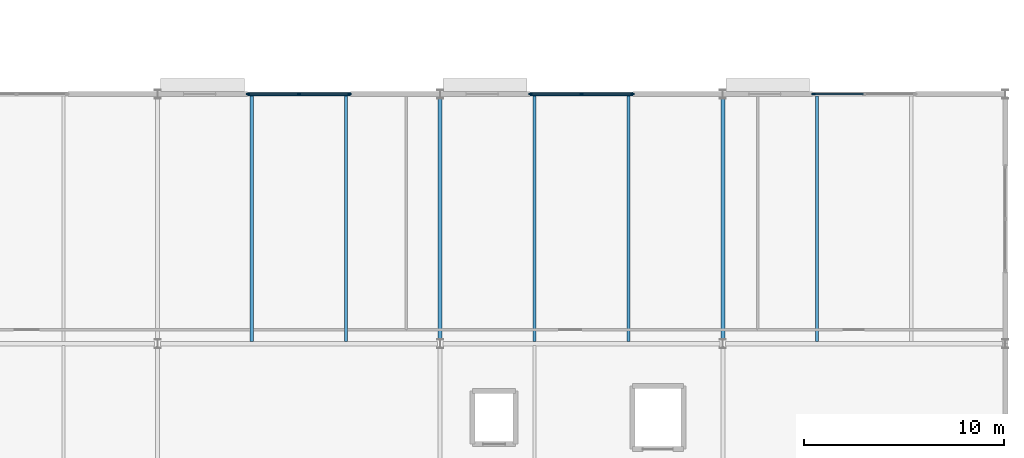
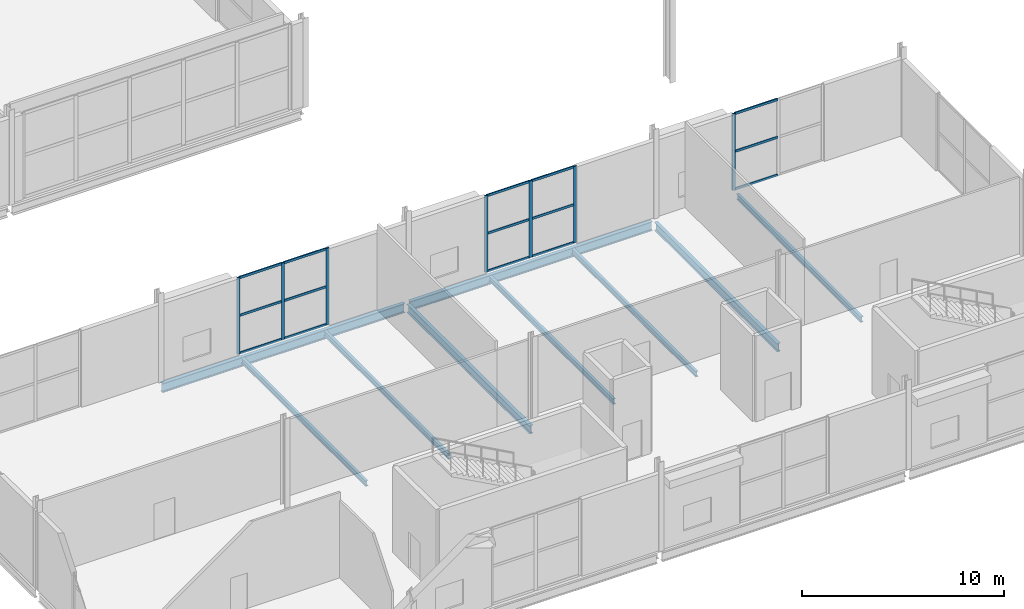
# One storey, part 41 of 84: 22 members, 9 beams, 3 elements without a shape of their own.
"""IFC4 building model written with IfcOpenShell, lengths in metres."""

import ifcopenshell
import ifcopenshell.guid

model = None  # the IFC model being written
_history = None  # IfcOwnerHistory: only IFC2X3 demands one
_inside = {}  # id of a spatial element -> (the spatial element, [elements in it])
_under = {}  # id of a project, library or spatial element -> (it, [spatial elements below it])
_declared = {}  # id of a project -> (the project, [libraries it declares])
_typed = {}  # id of a type object -> (the type object, [elements of that type])
_made_of = {}  # id of a material, layer set ... -> (it, [elements and type objects made of it])


def new_model(schema):
    """Start an empty IFC model of exactly this schema.

    Asked for "IFC4X3", IfcOpenShell would pick the latest addendum, in which some entities
    have other attributes; the version numbers below select the first issue.
    IFC2X3 requires an IfcOwnerHistory on every rooted entity: one is made here for all.
    """
    global model, _history
    if schema == "IFC4X3":
        model = ifcopenshell.file(schema_version=(4, 3, 0, 0))
    else:
        model = ifcopenshell.file(schema=schema)
    _inside.clear()
    _under.clear()
    _declared.clear()
    _typed.clear()
    _made_of.clear()
    _history = None
    if model.schema == "IFC2X3":
        org = make("IfcOrganization", Name="unknown")
        user = make(
            "IfcPersonAndOrganization",
            ThePerson=make("IfcPerson", FamilyName="unknown"),
            TheOrganization=org,
        )
        app = make(
            "IfcApplication",
            ApplicationDeveloper=org,
            Version="unknown",
            ApplicationFullName="unknown",
            ApplicationIdentifier="unknown",
        )
        _history = make(
            "IfcOwnerHistory",
            OwningUser=user,
            OwningApplication=app,
            ChangeAction="ADDED",
            CreationDate=0,
        )
    return model


def make(cls, **values):
    """One entity of the class cls with the attributes given. An attribute that is None is left unset."""
    return model.create_entity(
        cls, **{name: value for name, value in values.items() if value is not None}
    )


def rooted(cls, **values):
    """An entity with a GlobalId (a new one), such as an element, a storey or a relation."""
    return make(cls, GlobalId=ifcopenshell.guid.new(), OwnerHistory=_history, **values)


def si_unit(unit_type, name, prefix=None):
    """IfcSIUnit, for example si_unit("LENGTHUNIT", "METRE", prefix="MILLI")."""
    return make("IfcSIUnit", UnitType=unit_type, Prefix=prefix, Name=name)


def assignment(units):
    """IfcUnitAssignment: the units of a project."""
    return None if units is None else make("IfcUnitAssignment", Units=units)


def point(xyz):
    """IfcCartesianPoint."""
    return None if xyz is None else make("IfcCartesianPoint", Coordinates=xyz)


def direction(xyz):
    """IfcDirection."""
    return None if xyz is None else make("IfcDirection", DirectionRatios=xyz)


def frame(location, z_axis=None, x_axis=None):
    """IfcAxis2Placement3D, a coordinate frame: its origin and axes. An axis left out is left unset."""
    return make(
        "IfcAxis2Placement3D",
        Location=point(location),
        Axis=direction(z_axis),
        RefDirection=direction(x_axis),
    )


def frame_2d(location, x_axis=None):
    """IfcAxis2Placement2D, a coordinate frame in the plane: its origin and x axis."""
    return make(
        "IfcAxis2Placement2D", Location=point(location), RefDirection=direction(x_axis)
    )


def origin():
    """The frame at (0, 0, 0) with its axes left unset."""
    return frame((0.0, 0.0, 0.0))


def origin_2d():
    """The frame at (0, 0) in the plane with its x axis left unset."""
    return frame_2d((0.0, 0.0))


def place(relative_to, where):
    """IfcLocalPlacement: puts the frame where relative to a parent placement (None: the world)."""
    return make(
        "IfcLocalPlacement", PlacementRelTo=relative_to, RelativePlacement=where
    )


def context(
    kind, dimensions, precision=None, world=None, true_north=None, identifier=None
):
    """IfcGeometricRepresentationContext, for example the 3D "Model" context."""
    return make(
        "IfcGeometricRepresentationContext",
        ContextIdentifier=identifier,
        ContextType=kind,
        CoordinateSpaceDimension=dimensions,
        Precision=precision,
        WorldCoordinateSystem=world,
        TrueNorth=true_north,
    )


def subcontext(parent, identifier, kind, view, scale=None):
    """IfcGeometricRepresentationSubContext, for example "Body" below "Model"."""
    return make(
        "IfcGeometricRepresentationSubContext",
        ContextIdentifier=identifier,
        ContextType=kind,
        ParentContext=parent,
        TargetScale=scale,
        TargetView=view,
    )


def project(units=None, contexts=None):
    """IfcProject with its units and contexts."""
    return rooted(
        "IfcProject",
        Name="project",
        RepresentationContexts=contexts,
        UnitsInContext=assignment(units),
    )


def spatial(cls, under=None, at=None, **own):
    """A site, building, storey or space (cls), placed at a placement, below another one or the project."""
    s = rooted(cls, ObjectPlacement=at, **own)
    if under is not None:
        _under.setdefault(under.id(), (under, []))[1].append(s)
    return s


def profile(cls, at=None, kind="AREA", **sizes):
    """A parametric profile (cls). Its sizes go by their IFC names, for example OverallWidth=200.0."""
    return make(cls, ProfileType=kind, Position=at, **sizes)


def rectangle(**sizes):
    """IfcRectangleProfileDef."""
    return profile("IfcRectangleProfileDef", **sizes)


def i_section(**sizes):
    """IfcIShapeProfileDef."""
    return profile("IfcIShapeProfileDef", **sizes)


def extrude(swept, where, along, depth):
    """IfcExtrudedAreaSolid: the profile swept, set in the frame where, extruded along a direction by depth."""
    return make(
        "IfcExtrudedAreaSolid",
        SweptArea=swept,
        Position=where,
        ExtrudedDirection=direction(along),
        Depth=depth,
    )


def shape(context_of_items, identifier, shape_type, items):
    """IfcShapeRepresentation: the items that make up one representation, for example the "Body"."""
    return make(
        "IfcShapeRepresentation",
        ContextOfItems=context_of_items,
        RepresentationIdentifier=identifier,
        RepresentationType=shape_type,
        Items=items,
    )


def material(Name=None, Category=None):
    """IfcMaterial."""
    return make("IfcMaterial", Name=Name, Category=Category)


def material_profile(
    of_material, cross_section, Name=None, Category=None, Priority=None
):
    """IfcMaterialProfile: a cross section and its material."""
    return make(
        "IfcMaterialProfile",
        Name=Name,
        Material=of_material,
        Profile=cross_section,
        Priority=Priority,
        Category=Category,
    )


def profile_set(profiles, Name=None, composite=None):
    """IfcMaterialProfileSet."""
    return make(
        "IfcMaterialProfileSet",
        Name=Name,
        MaterialProfiles=profiles,
        CompositeProfile=composite,
    )


def made_of(thing, what):
    """Note that an element or type object is made of a material, layer set ...; save() writes the relation."""
    if what is not None:
        _made_of.setdefault(what.id(), (what, []))[1].append(thing)
    return thing


def type_object(cls, material=None, **own):
    """A type object (cls), such as IfcWallType, which elements share."""
    return made_of(rooted(cls, **own), material)


def element(
    cls,
    number,
    at=None,
    inside=None,
    cuts=None,
    type_object=None,
    material=None,
    context=None,
    identifier="Body",
    shape_type=None,
    held_by="IfcProductDefinitionShape",
    body=None,
    shapes=None,
    **own,
):
    """One element of the class cls, such as IfcWall. Its Tag is "e" and its number.

    at: its placement. inside: the storey or other place that contains it. cuts: it is an
    opening in that element (IfcRelVoidsElement). A single representation is given by context,
    identifier, shape_type and body (its items); several are given by shapes. held_by: the class
    of the entity that holds the representations. save() writes the other relations.
    """
    e = rooted(cls, Tag="e%d" % number, ObjectPlacement=at, **own)
    if body is not None:
        shapes = [shape(context, identifier, shape_type, body)]
    if shapes is not None:
        e.Representation = make(held_by, Representations=shapes)
    if inside is not None:
        _inside.setdefault(inside.id(), (inside, []))[1].append(e)
    if cuts is not None:
        rooted(
            "IfcRelVoidsElement", RelatingBuildingElement=cuts, RelatedOpeningElement=e
        )
    if type_object is not None:
        _typed.setdefault(type_object.id(), (type_object, []))[1].append(e)
    return made_of(e, material)


def aggregate(whole, parts):
    """IfcRelAggregates: a whole, such as a stair, and the parts it consists of."""
    return rooted("IfcRelAggregates", RelatingObject=whole, RelatedObjects=parts)


def save(model, path):
    """Write the relations noted so far, then the file.

    IfcRelAggregates (storeys below a building ...), IfcRelContainedInSpatialStructure (elements
    in a storey), IfcRelDefinesByType, IfcRelAssociatesMaterial and IfcRelDeclares: one each for
    every whole, place, type object, material and project.
    """
    for whole, parts in _under.values():
        aggregate(whole, parts)
    for where, things in _inside.values():
        rooted(
            "IfcRelContainedInSpatialStructure",
            RelatedElements=things,
            RelatingStructure=where,
        )
    for kind, things in _typed.values():
        rooted("IfcRelDefinesByType", RelatedObjects=things, RelatingType=kind)
    for what, things in _made_of.values():
        rooted("IfcRelAssociatesMaterial", RelatedObjects=things, RelatingMaterial=what)
    for by, libraries in _declared.values():
        rooted("IfcRelDeclares", RelatingContext=by, RelatedDefinitions=libraries)
    model.write(path)


model = new_model("IFC4")

# Units and contexts
model_context = context("Model", 3, precision=1e-05, world=origin(), true_north=direction((0.0, 1.0)))
body_context = subcontext(model_context, "Body", "Model", "MODEL_VIEW")
ifc_project = project(units=[si_unit("LENGTHUNIT", "METRE"), si_unit("AREAUNIT", "SQUARE_METRE"), si_unit("VOLUMEUNIT", "CUBIC_METRE"), si_unit("PLANEANGLEUNIT", "RADIAN"), si_unit("MASSUNIT", "GRAM", prefix="KILO")], contexts=[model_context])

# Site, building, storey
site_placement = place(None, origin())
site = spatial("IfcSite", under=ifc_project, at=site_placement, CompositionType="ELEMENT")
building_placement = place(site_placement, origin())
building = spatial("IfcBuilding", under=site, at=building_placement, Name="Kimbaza Rail Terminus", CompositionType="ELEMENT")
storey_placement = place(building_placement, frame((0.0, 0.0, 5.39990234375)))
storey = spatial("IfcBuildingStorey", under=building, at=storey_placement, Name="L01", CompositionType="ELEMENT", Elevation=5.39990234375)

# Curtain wall, members
ifc_material_1 = material(Name="Anodised aluminium framing and solar low-E glazing", Category="aluminium")
curtain_wall_type = type_object("IfcCurtainWallType", Name="ARC-CW-PV1", PredefinedType="USERDEFINED", material=ifc_material_1)
curtain_wall_1_placement = place(storey_placement, origin())
curtain_wall_1 = element("IfcCurtainWall", 1, at=curtain_wall_1_placement, inside=storey, type_object=curtain_wall_type, Name="Pavilion N Curtain Wall L01.2", ObjectType="STICK CURTAIN WALL", PredefinedType="USERDEFINED")
ifc_material_2 = material(Name="Anodised architectural aluminium", Category="aluminium")
ifc_material_profile_1 = material_profile(ifc_material_2, rectangle(XDim=0.06494140625, YDim=0.175048828125, at=origin_2d()), Name="MULLION 65x175")
ifc_profile_set_1 = profile_set([ifc_material_profile_1], Name="Anodised architectural aluminium")
member_type_1 = type_object("IfcMemberType", Name="ARC-CWM-04", PredefinedType="MULLION", material=ifc_profile_set_1)
member_1_placement = place(storey_placement, frame((176.08251953125, 38.0, 0.0), z_axis=(0.0, 0.0, 1.0), x_axis=(0.0, 1.0, 0.0)))
member_1 = element("IfcMember", 2, at=member_1_placement, type_object=member_type_1, Name="CW-04 mullion 1", PredefinedType="MULLION", context=body_context, shape_type="SweptSolid", body=[
    extrude(rectangle(XDim=0.06494140625, YDim=0.175048828125, at=origin_2d()), origin(), (0.0, 0.0, 1.0), 4.625),
])
member_2_placement = place(storey_placement, frame((178.625, 38.0, 0.0), z_axis=(0.0, 0.0, 1.0), x_axis=(0.0, 1.0, 0.0)))
member_2 = element("IfcMember", 3, at=member_2_placement, type_object=member_type_1, Name="CW-04 mullion 2", PredefinedType="MULLION", context=body_context, shape_type="SweptSolid", body=[
    extrude(rectangle(XDim=0.06494140625, YDim=0.175048828125, at=origin_2d()), origin(), (0.0, 0.0, 1.0), 4.625),
])
member_3_placement = place(storey_placement, frame((181.16748046875, 38.0, 0.0), z_axis=(0.0, 0.0, 1.0), x_axis=(0.0, 1.0, 0.0)))
member_3 = element("IfcMember", 4, at=member_3_placement, type_object=member_type_1, Name="CW-04 mullion 3", PredefinedType="MULLION", context=body_context, shape_type="SweptSolid", body=[
    extrude(rectangle(XDim=0.06494140625, YDim=0.175048828125, at=origin_2d()), origin(), (0.0, 0.0, 1.0), 4.625),
])

curtain_wall_2_placement = place(storey_placement, origin())
curtain_wall_2 = element("IfcCurtainWall", 5, at=curtain_wall_2_placement, inside=storey, type_object=curtain_wall_type, Name="Pavilion N Curtain Wall L01.3", ObjectType="STICK CURTAIN WALL", PredefinedType="USERDEFINED")
member_4_placement = place(storey_placement, frame((190.232421875, 38.0, 0.0), z_axis=(0.0, 0.0, 1.0), x_axis=(0.0, 1.0, 0.0)))
member_4 = element("IfcMember", 6, at=member_4_placement, type_object=member_type_1, Name="CW-04 mullion 1", PredefinedType="MULLION", context=body_context, shape_type="SweptSolid", body=[
    extrude(rectangle(XDim=0.06494140625, YDim=0.175048828125, at=origin_2d()), origin(), (0.0, 0.0, 1.0), 4.625),
])
member_5_placement = place(storey_placement, frame((192.77490234375, 38.0, 0.0), z_axis=(0.0, 0.0, 1.0), x_axis=(0.0, 1.0, 0.0)))
member_5 = element("IfcMember", 7, at=member_5_placement, type_object=member_type_1, Name="CW-04 mullion 2", PredefinedType="MULLION", context=body_context, shape_type="SweptSolid", body=[
    extrude(rectangle(XDim=0.06494140625, YDim=0.175048828125, at=origin_2d()), origin(), (0.0, 0.0, 1.0), 4.625),
])
member_6_placement = place(storey_placement, frame((195.3173828125, 38.0, 0.0), z_axis=(0.0, 0.0, 1.0), x_axis=(0.0, 1.0, 0.0)))
member_6 = element("IfcMember", 8, at=member_6_placement, type_object=member_type_1, Name="CW-04 mullion 3", PredefinedType="MULLION", context=body_context, shape_type="SweptSolid", body=[
    extrude(rectangle(XDim=0.06494140625, YDim=0.175048828125, at=origin_2d()), origin(), (0.0, 0.0, 1.0), 4.625),
])

# Curtain wall, member
curtain_wall_3_placement = place(storey_placement, origin())
curtain_wall_3 = element("IfcCurtainWall", 9, at=curtain_wall_3_placement, inside=storey, type_object=curtain_wall_type, Name="Pavilion N Curtain Wall L01.4", ObjectType="STICK CURTAIN WALL", PredefinedType="USERDEFINED")
member_7_placement = place(storey_placement, frame((204.382568359375, 38.0, 0.0), z_axis=(0.0, 0.0, 1.0), x_axis=(0.0, 1.0, 0.0)))
member_7 = element("IfcMember", 10, at=member_7_placement, type_object=member_type_1, Name="CW-04 mullion 1", PredefinedType="MULLION", context=body_context, shape_type="SweptSolid", body=[
    extrude(rectangle(XDim=0.06494140625, YDim=0.175048828125, at=origin_2d()), origin(), (0.0, 0.0, 1.0), 4.625),
])

# Member
ifc_material_3 = material(Name="Anodised architectural aluminium", Category="aluminium")
ifc_material_profile_2 = material_profile(ifc_material_3, rectangle(XDim=0.06494140625, YDim=0.139892578125, at=origin_2d()), Name="TRANSOM 65x140")
ifc_profile_set_2 = profile_set([ifc_material_profile_2], Name="Anodised architectural aluminium")
member_type_2 = type_object("IfcMemberType", Name="ARC-CWT-04", PredefinedType="USERDEFINED", material=ifc_profile_set_2)
member_8_placement = place(storey_placement, frame((176.114990234375, 38.0, 0.03271484375), z_axis=(1.0, 0.0, 0.0), x_axis=(0.0, 1.0, 0.0)))
member_8 = element("IfcMember", 11, at=member_8_placement, type_object=member_type_2, Name="CW-04 transom 1.1", ObjectType="TRANSOM", PredefinedType="USERDEFINED", context=body_context, shape_type="SweptSolid", body=[
    extrude(rectangle(XDim=0.06494140625, YDim=0.139892578125, at=origin_2d()), origin(), (0.0, 0.0, 1.0), 2.4775390625),
])

member_9_placement = place(storey_placement, frame((176.114990234375, 38.0, 2.3125), z_axis=(1.0, 0.0, 0.0), x_axis=(0.0, 1.0, 0.0)))
member_9 = element("IfcMember", 12, at=member_9_placement, type_object=member_type_2, Name="CW-04 transom 1.2", ObjectType="TRANSOM", PredefinedType="USERDEFINED", context=body_context, shape_type="SweptSolid", body=[
    extrude(rectangle(XDim=0.06494140625, YDim=0.139892578125, at=origin_2d()), origin(), (0.0, 0.0, 1.0), 2.4775390625),
])

member_10_placement = place(storey_placement, frame((176.114990234375, 38.0, 4.592529296875), z_axis=(1.0, 0.0, 0.0), x_axis=(0.0, 1.0, 0.0)))
member_10 = element("IfcMember", 13, at=member_10_placement, type_object=member_type_2, Name="CW-04 transom 1.3", ObjectType="TRANSOM", PredefinedType="USERDEFINED", context=body_context, shape_type="SweptSolid", body=[
    extrude(rectangle(XDim=0.06494140625, YDim=0.139892578125, at=origin_2d()), origin(), (0.0, 0.0, 1.0), 2.4775390625),
])

member_11_placement = place(storey_placement, frame((178.657470703125, 38.0, 0.03271484375), z_axis=(1.0, 0.0, 0.0), x_axis=(0.0, 1.0, 0.0)))
member_11 = element("IfcMember", 14, at=member_11_placement, type_object=member_type_2, Name="CW-04 transom 2.1", ObjectType="TRANSOM", PredefinedType="USERDEFINED", context=body_context, shape_type="SweptSolid", body=[
    extrude(rectangle(XDim=0.06494140625, YDim=0.139892578125, at=origin_2d()), origin(), (0.0, 0.0, 1.0), 2.4775390625),
])

member_12_placement = place(storey_placement, frame((178.657470703125, 38.0, 2.3125), z_axis=(1.0, 0.0, 0.0), x_axis=(0.0, 1.0, 0.0)))
member_12 = element("IfcMember", 15, at=member_12_placement, type_object=member_type_2, Name="CW-04 transom 2.2", ObjectType="TRANSOM", PredefinedType="USERDEFINED", context=body_context, shape_type="SweptSolid", body=[
    extrude(rectangle(XDim=0.06494140625, YDim=0.139892578125, at=origin_2d()), origin(), (0.0, 0.0, 1.0), 2.4775390625),
])

member_13_placement = place(storey_placement, frame((178.657470703125, 38.0, 4.592529296875), z_axis=(1.0, 0.0, 0.0), x_axis=(0.0, 1.0, 0.0)))
member_13 = element("IfcMember", 16, at=member_13_placement, type_object=member_type_2, Name="CW-04 transom 2.3", ObjectType="TRANSOM", PredefinedType="USERDEFINED", context=body_context, shape_type="SweptSolid", body=[
    extrude(rectangle(XDim=0.06494140625, YDim=0.139892578125, at=origin_2d()), origin(), (0.0, 0.0, 1.0), 2.4775390625),
])

aggregate(curtain_wall_1, [member_1, member_2, member_3, member_8, member_9, member_10, member_11, member_12, member_13])

member_14_placement = place(storey_placement, frame((190.264892578125, 38.0, 0.03271484375), z_axis=(1.0, 0.0, 0.0), x_axis=(0.0, 1.0, 0.0)))
member_14 = element("IfcMember", 17, at=member_14_placement, type_object=member_type_2, Name="CW-04 transom 1.1", ObjectType="TRANSOM", PredefinedType="USERDEFINED", context=body_context, shape_type="SweptSolid", body=[
    extrude(rectangle(XDim=0.06494140625, YDim=0.139892578125, at=origin_2d()), origin(), (0.0, 0.0, 1.0), 2.4775390625),
])

member_15_placement = place(storey_placement, frame((190.264892578125, 38.0, 2.3125), z_axis=(1.0, 0.0, 0.0), x_axis=(0.0, 1.0, 0.0)))
member_15 = element("IfcMember", 18, at=member_15_placement, type_object=member_type_2, Name="CW-04 transom 1.2", ObjectType="TRANSOM", PredefinedType="USERDEFINED", context=body_context, shape_type="SweptSolid", body=[
    extrude(rectangle(XDim=0.06494140625, YDim=0.139892578125, at=origin_2d()), origin(), (0.0, 0.0, 1.0), 2.4775390625),
])

member_16_placement = place(storey_placement, frame((190.264892578125, 38.0, 4.592529296875), z_axis=(1.0, 0.0, 0.0), x_axis=(0.0, 1.0, 0.0)))
member_16 = element("IfcMember", 19, at=member_16_placement, type_object=member_type_2, Name="CW-04 transom 1.3", ObjectType="TRANSOM", PredefinedType="USERDEFINED", context=body_context, shape_type="SweptSolid", body=[
    extrude(rectangle(XDim=0.06494140625, YDim=0.139892578125, at=origin_2d()), origin(), (0.0, 0.0, 1.0), 2.4775390625),
])

member_17_placement = place(storey_placement, frame((192.8076171875, 38.0, 0.03271484375), z_axis=(1.0, 0.0, 0.0), x_axis=(0.0, 1.0, 0.0)))
member_17 = element("IfcMember", 20, at=member_17_placement, type_object=member_type_2, Name="CW-04 transom 2.1", ObjectType="TRANSOM", PredefinedType="USERDEFINED", context=body_context, shape_type="SweptSolid", body=[
    extrude(rectangle(XDim=0.06494140625, YDim=0.139892578125, at=origin_2d()), origin(), (0.0, 0.0, 1.0), 2.477294921875),
])

member_18_placement = place(storey_placement, frame((192.8076171875, 38.0, 2.3125), z_axis=(1.0, 0.0, 0.0), x_axis=(0.0, 1.0, 0.0)))
member_18 = element("IfcMember", 21, at=member_18_placement, type_object=member_type_2, Name="CW-04 transom 2.2", ObjectType="TRANSOM", PredefinedType="USERDEFINED", context=body_context, shape_type="SweptSolid", body=[
    extrude(rectangle(XDim=0.06494140625, YDim=0.139892578125, at=origin_2d()), origin(), (0.0, 0.0, 1.0), 2.477294921875),
])

member_19_placement = place(storey_placement, frame((192.8076171875, 38.0, 4.592529296875), z_axis=(1.0, 0.0, 0.0), x_axis=(0.0, 1.0, 0.0)))
member_19 = element("IfcMember", 22, at=member_19_placement, type_object=member_type_2, Name="CW-04 transom 2.3", ObjectType="TRANSOM", PredefinedType="USERDEFINED", context=body_context, shape_type="SweptSolid", body=[
    extrude(rectangle(XDim=0.06494140625, YDim=0.139892578125, at=origin_2d()), origin(), (0.0, 0.0, 1.0), 2.477294921875),
])

aggregate(curtain_wall_2, [member_4, member_5, member_6, member_14, member_15, member_16, member_17, member_18, member_19])

member_20_placement = place(storey_placement, frame((204.4150390625, 38.0, 0.03271484375), z_axis=(1.0, 0.0, 0.0), x_axis=(0.0, 1.0, 0.0)))
member_20 = element("IfcMember", 23, at=member_20_placement, type_object=member_type_2, Name="CW-04 transom 1.1", ObjectType="TRANSOM", PredefinedType="USERDEFINED", context=body_context, shape_type="SweptSolid", body=[
    extrude(rectangle(XDim=0.06494140625, YDim=0.139892578125, at=origin_2d()), origin(), (0.0, 0.0, 1.0), 2.4775390625),
])

member_21_placement = place(storey_placement, frame((204.4150390625, 38.0, 2.3125), z_axis=(1.0, 0.0, 0.0), x_axis=(0.0, 1.0, 0.0)))
member_21 = element("IfcMember", 24, at=member_21_placement, type_object=member_type_2, Name="CW-04 transom 1.2", ObjectType="TRANSOM", PredefinedType="USERDEFINED", context=body_context, shape_type="SweptSolid", body=[
    extrude(rectangle(XDim=0.06494140625, YDim=0.139892578125, at=origin_2d()), origin(), (0.0, 0.0, 1.0), 2.4775390625),
])

member_22_placement = place(storey_placement, frame((204.4150390625, 38.0, 4.592529296875), z_axis=(1.0, 0.0, 0.0), x_axis=(0.0, 1.0, 0.0)))
member_22 = element("IfcMember", 25, at=member_22_placement, type_object=member_type_2, Name="CW-04 transom 1.3", ObjectType="TRANSOM", PredefinedType="USERDEFINED", context=body_context, shape_type="SweptSolid", body=[
    extrude(rectangle(XDim=0.06494140625, YDim=0.139892578125, at=origin_2d()), origin(), (0.0, 0.0, 1.0), 2.4775390625),
])

aggregate(curtain_wall_3, [member_7, member_20, member_21, member_22])

# Beams
ifc_material_4 = material(Name="Steel S355", Category="steel")
ifc_material_profile_3 = material_profile(ifc_material_4, i_section(OverallWidth=0.159912109375, OverallDepth=0.330078125, WebThickness=0.007568359375, FlangeThickness=0.011474609375, FilletRadius=0.01806640625, at=origin_2d()), Name="IPE 330")
ifc_profile_set_3 = profile_set([ifc_material_profile_3], Name="Steel S355")
beam_type_1 = type_object("IfcBeamType", Name="STR-BM-IPE330", PredefinedType="JOIST", material=ifc_profile_set_3)
for number, where, z_axis, x_axis, name in (
    (26, (176.2666015625, 25.60009765625, -0.385009765625), (0.0, 1.0, 0.0), (-1.0, 0.0, 0.0), "Beam JST-V4-L01-1-1-1"),
    (27, (180.9833984375, 25.60009765625, -0.385009765625), (0.0, 1.0, 0.0), (-1.0, 0.0, 0.0), "Beam JST-V4-L01-1-2-1"),
    (28, (190.416748046875, 25.60009765625, -0.385009765625), (0.0, 1.0, 0.0), (-1.0, 0.0, 0.0), "Beam JST-V4-L01-2-1-1"),
    (29, (195.13330078125, 25.60009765625, -0.385009765625), (0.0, 1.0, 0.0), (-1.0, 0.0, 0.0), "Beam JST-V4-L01-2-2-1"),
    (30, (204.566650390625, 25.60009765625, -0.385009765625), (0.0, 1.0, 0.0), (-1.0, 0.0, 0.0), "Beam JST-V4-L01-3-1-1"),
):
    element("IfcBeam", number, at=place(storey_placement, frame(where, z_axis=z_axis, x_axis=x_axis)), inside=storey, type_object=beam_type_1, Name=name, PredefinedType="JOIST", context=body_context, shape_type="SweptSolid", body=[
        extrude(i_section(OverallWidth=0.159912109375, OverallDepth=0.330078125, WebThickness=0.007568359375, FlangeThickness=0.011474609375, FilletRadius=0.01806640625, at=origin_2d()), origin(), (0.0, 0.0, 1.0), 12.2998046875),
    ])
ifc_material_5 = material(Name="Steel S355", Category="steel")
ifc_material_profile_4 = material_profile(ifc_material_5, i_section(OverallWidth=0.199951171875, OverallDepth=0.5, WebThickness=0.01025390625, FlangeThickness=0.01611328125, FilletRadius=0.02099609375, at=origin_2d()), Name="IPE 500")
ifc_profile_set_4 = profile_set([ifc_material_profile_4], Name="Steel S355")
beam_type_2 = type_object("IfcBeamType", Name="STR-BM-IPE500", PredefinedType="BEAM", material=ifc_profile_set_4)
for number, where, z_axis, x_axis, name in (
    (31, (185.699951171875, 25.675048828125, -0.469970703125), (0.0, 1.0, 0.0), (-1.0, 0.0, 0.0), "Beam BM-V4Y-L01-2-1"),
    (32, (199.85009765625, 25.675048828125, -0.469970703125), (0.0, 1.0, 0.0), (-1.0, 0.0, 0.0), "Beam BM-V4Y-L01-3-1"),
):
    element("IfcBeam", number, at=place(storey_placement, frame(where, z_axis=z_axis, x_axis=x_axis)), inside=storey, type_object=beam_type_2, Name=name, PredefinedType="BEAM", context=body_context, shape_type="SweptSolid", body=[
        extrude(i_section(OverallWidth=0.199951171875, OverallDepth=0.5, WebThickness=0.01025390625, FlangeThickness=0.01611328125, FilletRadius=0.02099609375, at=origin_2d()), origin(), (0.0, 0.0, 1.0), 12.14990234375),
    ])
ifc_material_6 = material(Name="Steel S355", Category="steel")
ifc_material_profile_5 = material_profile(ifc_material_6, i_section(OverallWidth=0.2099609375, OverallDepth=0.550048828125, WebThickness=0.010986328125, FlangeThickness=0.01708984375, FilletRadius=0.02392578125, at=origin_2d()), Name="IPE 550")
ifc_profile_set_5 = profile_set([ifc_material_profile_5], Name="Steel S355")
beam_type_3 = type_object("IfcBeamType", Name="STR-BM-IPE550", PredefinedType="BEAM", material=ifc_profile_set_5)
beam_1_placement = place(storey_placement, frame((171.696044921875, 38.0, -0.494873046875), z_axis=(1.0, 0.0, 0.0), x_axis=(0.0, 1.0, 0.0)))
element("IfcBeam", 33, at=beam_1_placement, inside=storey, type_object=beam_type_3, Name="Beam BM-V4X-L01-1-2", PredefinedType="BEAM", context=body_context, shape_type="SweptSolid", body=[
    extrude(i_section(OverallWidth=0.2099609375, OverallDepth=0.550048828125, WebThickness=0.010986328125, FlangeThickness=0.01708984375, FilletRadius=0.02392578125, at=origin_2d()), origin(), (0.0, 0.0, 1.0), 13.85791015625),
])
beam_2_placement = place(storey_placement, frame((185.845947265625, 38.0, -0.494873046875), z_axis=(1.0, 0.0, 0.0), x_axis=(0.0, 1.0, 0.0)))
element("IfcBeam", 34, at=beam_2_placement, inside=storey, type_object=beam_type_3, Name="Beam BM-V4X-L01-2-2", PredefinedType="BEAM", context=body_context, shape_type="SweptSolid", body=[
    extrude(i_section(OverallWidth=0.2099609375, OverallDepth=0.550048828125, WebThickness=0.010986328125, FlangeThickness=0.01708984375, FilletRadius=0.02392578125, at=origin_2d()), origin(), (0.0, 0.0, 1.0), 13.858154296875),
])

save(model, "model.ifc")
